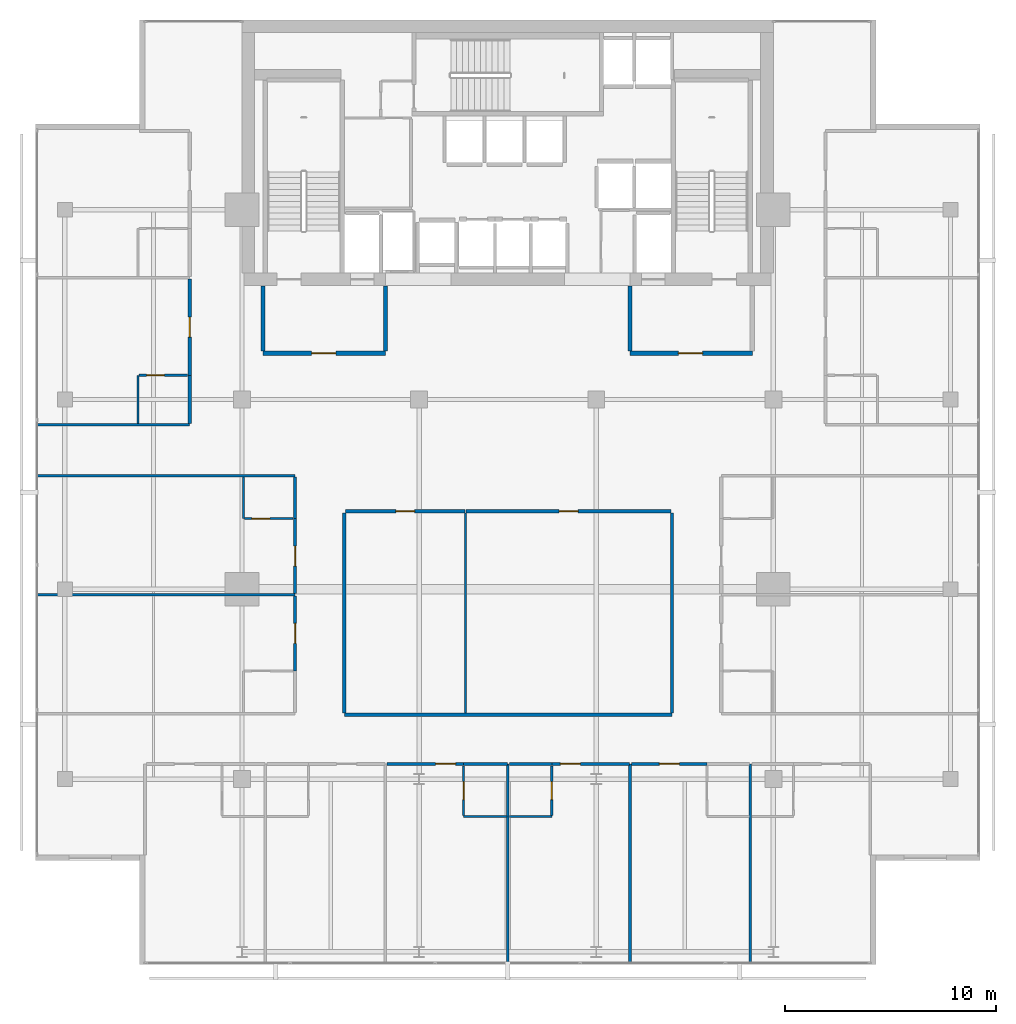
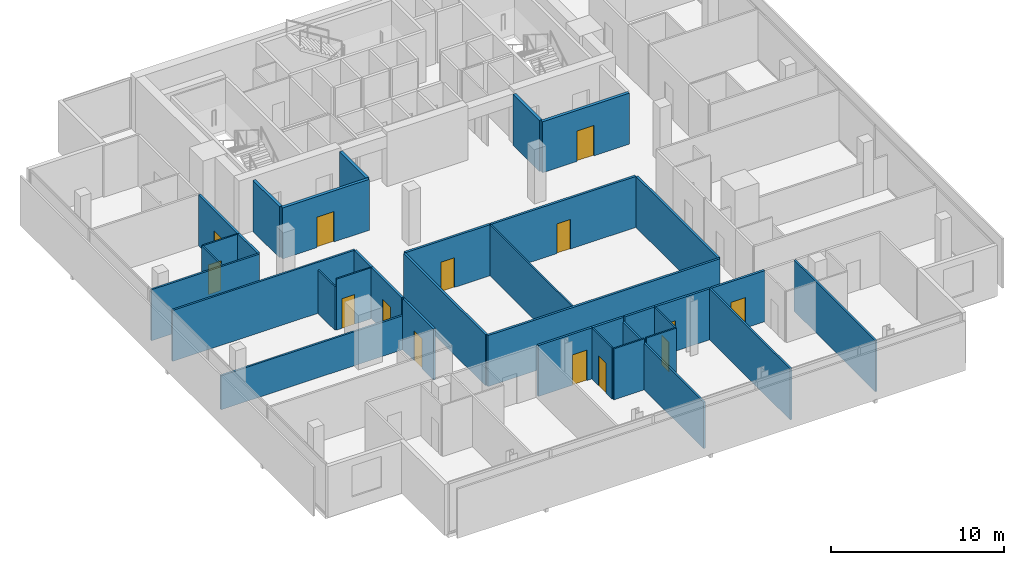
# One storey, part 20 of 25: 35 walls, 14 doors, 14 openings.
"""IFC4 building model written with IfcOpenShell, lengths in metres."""

from ifc_helpers import new_model, si_unit, direction, frame, frame_2d, origin, place, context, subcontext, project, spatial, rectangle, extrude, material, layer, layer_set, type_object, element, fill, save


model = new_model("IFC4")

# Units and contexts
model_context = context("Model", 3, precision=1e-05, world=origin(), true_north=direction((0.0, 1.0)))
body_context = subcontext(model_context, "Body", "Model", "MODEL_VIEW")
ifc_project = project(units=[si_unit("LENGTHUNIT", "METRE"), si_unit("AREAUNIT", "SQUARE_METRE"), si_unit("VOLUMEUNIT", "CUBIC_METRE"), si_unit("PLANEANGLEUNIT", "RADIAN"), si_unit("MASSUNIT", "GRAM", prefix="KILO")], contexts=[model_context])

# Site, building, storey
site_placement = place(None, origin())
site = spatial("IfcSite", under=ifc_project, at=site_placement, CompositionType="ELEMENT")
building_placement = place(site_placement, origin())
building = spatial("IfcBuilding", under=site, at=building_placement, Name="Maruvema Waterfront Hotel and Observation Tower", CompositionType="ELEMENT")
storey_placement = place(building_placement, frame((0.0, 0.0, 239.39990234375)))
storey = spatial("IfcBuildingStorey", under=building, at=storey_placement, Name="L58", CompositionType="ELEMENT", Elevation=239.39990234375)

# Walls
ifc_material_1 = material(Name="Twin-stud acoustic gypsum drywall", Category="gypsum")
ifc_layer_1 = layer(ifc_material_1, 0.14990234375, Name="Acoustic Corridor and Suite Demising Wall 150 mm")
ifc_layer_set_1 = layer_set([ifc_layer_1], Name="Twin-stud acoustic gypsum drywall")
wall_type_1 = type_object("IfcWallType", Name="Acoustic Corridor and Suite Demising Wall 150 mm", PredefinedType="PARTITIONING", material=ifc_layer_set_1)
wall_1_placement = place(storey_placement, frame((30.050048828125, 21.050048828125, 0.0), z_axis=(0.0, 0.0, 1.0), x_axis=(1.0, 0.0, 0.0)))
element("IfcWall", 1, at=wall_1_placement, inside=storey, type_object=wall_type_1, Name="L58 L58-Z3M Back Wall 017", PredefinedType="PARTITIONING", context=body_context, shape_type="SweptSolid", body=[
    extrude(rectangle(XDim=15.550048828125, YDim=0.14990234375, at=frame_2d((7.77490234375, 0.0))), origin(), (0.0, 0.0, 1.0), 3.610107421875),
])
for number, where, z_axis, x_axis, name in (
    (2, (30.050048828125, 21.1298828125, 0.0), (0.0, 0.0, 1.0), (0.0, 1.0, 0.0), "L58 L58-Z3M West Wall 018"),
    (3, (45.60009765625, 21.1298828125, 0.0), (0.0, 0.0, 1.0), (0.0, 1.0, 0.0), "L58 L58-Z3M East Wall 019"),
):
    element("IfcWall", number, at=place(storey_placement, frame(where, z_axis=z_axis, x_axis=x_axis)), inside=storey, type_object=wall_type_1, Name=name, PredefinedType="PARTITIONING", context=body_context, shape_type="SweptSolid", body=[
        extrude(rectangle(XDim=9.490234375, YDim=0.14990234375, at=frame_2d((4.7451171875, 0.0))), origin(), (0.0, 0.0, 1.0), 3.610107421875),
    ])

# Wall, opening, door
wall_2_placement = place(storey_placement, frame((30.110107421875, 30.699951171875, 0.0), z_axis=(0.0, 0.0, 1.0), x_axis=(1.0, 0.0, 0.0)))
wall_2 = element("IfcWall", 4, at=wall_2_placement, inside=storey, type_object=wall_type_1, Name="L58 L58-Z3M Front 1 020", PredefinedType="PARTITIONING", context=body_context, shape_type="SweptSolid", body=[
    extrude(rectangle(XDim=5.663330078125, YDim=0.14990234375, at=frame_2d((2.83154296875, 0.0))), origin(), (0.0, 0.0, 1.0), 3.610107421875),
])
opening_1_placement = place(wall_2_placement, frame((2.381591796875, 0.0, 0.0)))
opening_1 = element("IfcOpeningElement", 5, at=opening_1_placement, cuts=wall_2, Name="Opening DR-090", PredefinedType="OPENING", context=body_context, shape_type="SweptSolid", body=[
    extrude(rectangle(XDim=0.89990234375, YDim=2.10009765625, at=frame_2d((0.449951171875, 1.050048828125))), frame((0.0, 0.0849609375, 0.0), z_axis=(0.0, -1.0, 0.0), x_axis=(1.0, 0.0, 0.0)), (0.0, 0.0, 1.0), 0.169921875),
])
ifc_material_2 = material(Name="Solid-core lacquered timber leaf", Category="wood")
door_type_1 = type_object("IfcDoorType", Name="Accessible Toilet and Room Door 900x2100 mm", OperationType="NOTDEFINED", PredefinedType="DOOR", material=ifc_material_2)
door_1_placement = place(opening_1_placement, origin())
door_1 = element("IfcDoor", 6, at=door_1_placement, inside=storey, type_object=door_type_1, Name="L58 Butler Kitchenette Door", OperationType="SINGLE_SWING_RIGHT", OverallHeight=2.10009765625, OverallWidth=0.89990234375, PredefinedType="DOOR", context=body_context, shape_type="SweptSolid", body=[
    extrude(rectangle(XDim=0.89990234375, YDim=2.10009765625, at=frame_2d((0.449951171875, 1.050048828125))), frame((0.0, 0.02490234375, 0.0), z_axis=(0.0, -1.0, 0.0), x_axis=(1.0, 0.0, 0.0)), (0.0, 0.0, 1.0), 0.050048828125),
])
fill(opening_1, door_1)

wall_3_placement = place(storey_placement, frame((35.83349609375, 30.699951171875, 0.0), z_axis=(0.0, 0.0, 1.0), x_axis=(1.0, 0.0, 0.0)))
wall_3 = element("IfcWall", 7, at=wall_3_placement, inside=storey, type_object=wall_type_1, Name="L58 L58-Z3M Front 2 022", PredefinedType="PARTITIONING", context=body_context, shape_type="SweptSolid", body=[
    extrude(rectangle(XDim=9.70654296875, YDim=0.14990234375, at=frame_2d((4.853271484375, 0.0))), origin(), (0.0, 0.0, 1.0), 3.610107421875),
])
opening_2_placement = place(wall_3_placement, frame((4.4033203125, 0.0, 0.0)))
opening_2 = element("IfcOpeningElement", 8, at=opening_2_placement, cuts=wall_3, Name="Opening DR-090", PredefinedType="OPENING", context=body_context, shape_type="SweptSolid", body=[
    extrude(rectangle(XDim=0.89990234375, YDim=2.10009765625, at=frame_2d((0.449951171875, 1.050048828125))), frame((0.0, 0.0849609375, 0.0), z_axis=(0.0, -1.0, 0.0), x_axis=(1.0, 0.0, 0.0)), (0.0, 0.0, 1.0), 0.169921875),
])
door_2_placement = place(opening_2_placement, origin())
door_2 = element("IfcDoor", 9, at=door_2_placement, inside=storey, type_object=door_type_1, Name="L58 Business Office 1 Door", OperationType="SINGLE_SWING_LEFT", OverallHeight=2.10009765625, OverallWidth=0.89990234375, PredefinedType="DOOR", context=body_context, shape_type="SweptSolid", body=[
    extrude(rectangle(XDim=0.89990234375, YDim=2.10009765625, at=frame_2d((0.449951171875, 1.050048828125))), frame((0.0, 0.02490234375, 0.0), z_axis=(0.0, -1.0, 0.0), x_axis=(1.0, 0.0, 0.0)), (0.0, 0.0, 1.0), 0.050048828125),
])
fill(opening_2, door_2)

# Wall
wall_4_placement = place(storey_placement, frame((35.7099609375, 18.719970703125, 0.0), z_axis=(0.0, 0.0, 1.0), x_axis=(1.0, 0.0, 0.0)))
element("IfcWall", 10, at=wall_4_placement, inside=storey, type_object=wall_type_1, Name="L58 Bath L58-S3 Back Wall 035", PredefinedType="PARTITIONING", context=body_context, shape_type="SweptSolid", body=[
    extrude(rectangle(XDim=2.070068359375, YDim=0.14990234375, at=frame_2d((1.03515625, 0.0))), origin(), (0.0, 0.0, 1.0), 3.610107421875),
])

# Wall, opening, door
wall_5_placement = place(storey_placement, frame((32.080078125, 18.719970703125, 0.0), z_axis=(0.0, 0.0, 1.0), x_axis=(1.0, 0.0, 0.0)))
wall_5 = element("IfcWall", 11, at=wall_5_placement, inside=storey, type_object=wall_type_1, Name="L58 Unit L58-S3 Corridor Wall 038", PredefinedType="PARTITIONING", context=body_context, shape_type="SweptSolid", body=[
    extrude(rectangle(XDim=3.6298828125, YDim=0.14990234375, at=frame_2d((1.81494140625, 0.0))), origin(), (0.0, 0.0, 1.0), 3.610107421875),
])
opening_3_placement = place(wall_5_placement, frame((2.300048828125, 0.0, 0.0)))
opening_3 = element("IfcOpeningElement", 12, at=opening_3_placement, cuts=wall_5, Name="Opening DR-095", PredefinedType="OPENING", context=body_context, shape_type="SweptSolid", body=[
    extrude(rectangle(XDim=0.949951171875, YDim=2.14990234375, at=frame_2d((0.47509765625, 1.074951171875))), frame((0.0, 0.0849609375, 0.0), z_axis=(0.0, -1.0, 0.0), x_axis=(1.0, 0.0, 0.0)), (0.0, 0.0, 1.0), 0.169921875),
])
ifc_material_3 = material(Name="Acoustic solid-core hardwood timber leaf", Category="wood")
door_type_2 = type_object("IfcDoorType", Name="Guestroom Entrance Fire Door 950x2150 mm", OperationType="NOTDEFINED", PredefinedType="DOOR", material=ifc_material_3)
door_3_placement = place(opening_3_placement, frame((0.949951171875, 0.0, 0.0), z_axis=(0.0, 0.0, 1.0), x_axis=(-1.0, 0.0, 0.0)))
door_3 = element("IfcDoor", 13, at=door_3_placement, inside=storey, type_object=door_type_2, Name="L58 Unit L58-S3 Entrance Door", OperationType="SINGLE_SWING_LEFT", OverallHeight=2.14990234375, OverallWidth=0.949951171875, PredefinedType="DOOR", context=body_context, shape_type="SweptSolid", body=[
    extrude(rectangle(XDim=0.949951171875, YDim=2.14990234375, at=frame_2d((0.47509765625, 1.074951171875))), frame((0.0, 0.02490234375, 0.0), z_axis=(0.0, -1.0, 0.0), x_axis=(1.0, 0.0, 0.0)), (0.0, 0.0, 1.0), 0.050048828125),
])
fill(opening_3, door_3)

# Wall
wall_6_placement = place(storey_placement, frame((37.8798828125, 18.719970703125, 0.0), z_axis=(0.0, 0.0, 1.0), x_axis=(1.0, 0.0, 0.0)))
element("IfcWall", 14, at=wall_6_placement, inside=storey, type_object=wall_type_1, Name="L58 Bath L58-S4 Back Wall 040", PredefinedType="PARTITIONING", context=body_context, shape_type="SweptSolid", body=[
    extrude(rectangle(XDim=2.010009765625, YDim=0.14990234375, at=frame_2d((1.0048828125, 0.0))), origin(), (0.0, 0.0, 1.0), 3.610107421875),
])

# Wall, opening, door
wall_7_placement = place(storey_placement, frame((39.889892578125, 18.719970703125, 0.0), z_axis=(0.0, 0.0, 1.0), x_axis=(1.0, 0.0, 0.0)))
wall_7 = element("IfcWall", 15, at=wall_7_placement, inside=storey, type_object=wall_type_1, Name="L58 Unit L58-S4 Corridor Wall 043", PredefinedType="PARTITIONING", context=body_context, shape_type="SweptSolid", body=[
    extrude(rectangle(XDim=3.690185546875, YDim=0.14990234375, at=frame_2d((1.84521484375, 0.0))), origin(), (0.0, 0.0, 1.0), 3.610107421875),
])
opening_4_placement = place(wall_7_placement, frame((0.409912109375, 0.0, 0.0)))
opening_4 = element("IfcOpeningElement", 16, at=opening_4_placement, cuts=wall_7, Name="Opening DR-095", PredefinedType="OPENING", context=body_context, shape_type="SweptSolid", body=[
    extrude(rectangle(XDim=0.949951171875, YDim=2.14990234375, at=frame_2d((0.47509765625, 1.074951171875))), frame((0.0, 0.0849609375, 0.0), z_axis=(0.0, -1.0, 0.0), x_axis=(1.0, 0.0, 0.0)), (0.0, 0.0, 1.0), 0.169921875),
])
door_4_placement = place(opening_4_placement, frame((0.949951171875, 0.0, 0.0), z_axis=(0.0, 0.0, 1.0), x_axis=(-1.0, 0.0, 0.0)))
door_4 = element("IfcDoor", 17, at=door_4_placement, inside=storey, type_object=door_type_2, Name="L58 Unit L58-S4 Entrance Door", OperationType="SINGLE_SWING_LEFT", OverallHeight=2.14990234375, OverallWidth=0.949951171875, PredefinedType="DOOR", context=body_context, shape_type="SweptSolid", body=[
    extrude(rectangle(XDim=0.949951171875, YDim=2.14990234375, at=frame_2d((0.47509765625, 1.074951171875))), frame((0.0, 0.02490234375, 0.0), z_axis=(0.0, -1.0, 0.0), x_axis=(1.0, 0.0, 0.0)), (0.0, 0.0, 1.0), 0.050048828125),
])
fill(opening_4, door_4)

wall_8_placement = place(storey_placement, frame((43.679931640625, 18.719970703125, 0.0), z_axis=(0.0, 0.0, 1.0), x_axis=(1.0, 0.0, 0.0)))
wall_8 = element("IfcWall", 18, at=wall_8_placement, inside=storey, type_object=wall_type_1, Name="L58 Unit L58-S5 Corridor Wall 048", PredefinedType="PARTITIONING", context=body_context, shape_type="SweptSolid", body=[
    extrude(rectangle(XDim=3.570068359375, YDim=0.14990234375, at=frame_2d((1.78515625, 0.0))), origin(), (0.0, 0.0, 1.0), 3.610107421875),
])
opening_5_placement = place(wall_8_placement, frame((1.31005859375, 0.0, 0.0)))
opening_5 = element("IfcOpeningElement", 19, at=opening_5_placement, cuts=wall_8, Name="Opening DR-095", PredefinedType="OPENING", context=body_context, shape_type="SweptSolid", body=[
    extrude(rectangle(XDim=0.949951171875, YDim=2.14990234375, at=frame_2d((0.47509765625, 1.074951171875))), frame((0.0, 0.0849609375, 0.0), z_axis=(0.0, -1.0, 0.0), x_axis=(1.0, 0.0, 0.0)), (0.0, 0.0, 1.0), 0.169921875),
])
door_5_placement = place(opening_5_placement, frame((0.949951171875, 0.0, 0.0), z_axis=(0.0, 0.0, 1.0), x_axis=(-1.0, 0.0, 0.0)))
door_5 = element("IfcDoor", 20, at=door_5_placement, inside=storey, type_object=door_type_2, Name="L58 Unit L58-S5 Entrance Door", OperationType="SINGLE_SWING_LEFT", OverallHeight=2.14990234375, OverallWidth=0.949951171875, PredefinedType="DOOR", context=body_context, shape_type="SweptSolid", body=[
    extrude(rectangle(XDim=0.949951171875, YDim=2.14990234375, at=frame_2d((0.47509765625, 1.074951171875))), frame((0.0, 0.02490234375, 0.0), z_axis=(0.0, -1.0, 0.0), x_axis=(1.0, 0.0, 0.0)), (0.0, 0.0, 1.0), 0.050048828125),
])
fill(opening_5, door_5)

wall_9_placement = place(storey_placement, frame((27.719970703125, 23.1298828125, 0.0), z_axis=(0.0, 0.0, 1.0), x_axis=(0.0, 1.0, 0.0)))
wall_9 = element("IfcWall", 21, at=wall_9_placement, inside=storey, type_object=wall_type_1, Name="L58 Room L58-W1 Corridor Wall 059", PredefinedType="PARTITIONING", context=body_context, shape_type="SweptSolid", body=[
    extrude(rectangle(XDim=3.550048828125, YDim=0.14990234375, at=frame_2d((1.77490234375, 0.0))), origin(), (0.0, 0.0, 1.0), 3.610107421875),
])
opening_6_placement = place(wall_9_placement, frame((1.300048828125, 0.0, 0.0)))
opening_6 = element("IfcOpeningElement", 22, at=opening_6_placement, cuts=wall_9, Name="Opening DR-095", PredefinedType="OPENING", context=body_context, shape_type="SweptSolid", body=[
    extrude(rectangle(XDim=0.949951171875, YDim=2.14990234375, at=frame_2d((0.47509765625, 1.074951171875))), frame((0.0, 0.0849609375, 0.0), z_axis=(0.0, -1.0, 0.0), x_axis=(1.0, 0.0, 0.0)), (0.0, 0.0, 1.0), 0.169921875),
])
door_6_placement = place(opening_6_placement, origin())
door_6 = element("IfcDoor", 23, at=door_6_placement, inside=storey, type_object=door_type_2, Name="L58 Room L58-W1 Entrance Door", OperationType="SINGLE_SWING_LEFT", OverallHeight=2.14990234375, OverallWidth=0.949951171875, PredefinedType="DOOR", context=body_context, shape_type="SweptSolid", body=[
    extrude(rectangle(XDim=0.949951171875, YDim=2.14990234375, at=frame_2d((0.47509765625, 1.074951171875))), frame((0.0, 0.02490234375, 0.0), z_axis=(0.0, -1.0, 0.0), x_axis=(1.0, 0.0, 0.0)), (0.0, 0.0, 1.0), 0.050048828125),
])
fill(opening_6, door_6)

wall_10_placement = place(storey_placement, frame((27.719970703125, 26.800048828125, 0.0), z_axis=(0.0, 0.0, 1.0), x_axis=(0.0, 1.0, 0.0)))
wall_10 = element("IfcWall", 24, at=wall_10_placement, inside=storey, type_object=wall_type_1, Name="L58 Room L58-W2 Corridor Wall 068", PredefinedType="PARTITIONING", context=body_context, shape_type="SweptSolid", body=[
    extrude(rectangle(XDim=3.550048828125, YDim=0.14990234375, at=frame_2d((1.77490234375, 0.0))), origin(), (0.0, 0.0, 1.0), 3.610107421875),
])
opening_7_placement = place(wall_10_placement, frame((1.300048828125, 0.0, 0.0)))
opening_7 = element("IfcOpeningElement", 25, at=opening_7_placement, cuts=wall_10, Name="Opening DR-095", PredefinedType="OPENING", context=body_context, shape_type="SweptSolid", body=[
    extrude(rectangle(XDim=0.949951171875, YDim=2.14990234375, at=frame_2d((0.47509765625, 1.074951171875))), frame((0.0, 0.0849609375, 0.0), z_axis=(0.0, -1.0, 0.0), x_axis=(1.0, 0.0, 0.0)), (0.0, 0.0, 1.0), 0.169921875),
])
door_7_placement = place(opening_7_placement, origin())
door_7 = element("IfcDoor", 26, at=door_7_placement, inside=storey, type_object=door_type_2, Name="L58 Room L58-W2 Entrance Door", OperationType="SINGLE_SWING_LEFT", OverallHeight=2.14990234375, OverallWidth=0.949951171875, PredefinedType="DOOR", context=body_context, shape_type="SweptSolid", body=[
    extrude(rectangle(XDim=0.949951171875, YDim=2.14990234375, at=frame_2d((0.47509765625, 1.074951171875))), frame((0.0, 0.02490234375, 0.0), z_axis=(0.0, -1.0, 0.0), x_axis=(1.0, 0.0, 0.0)), (0.0, 0.0, 1.0), 0.050048828125),
])
fill(opening_7, door_7)

# Walls
wall_11_placement = place(storey_placement, frame((27.719970703125, 30.35009765625, 0.0), z_axis=(0.0, 0.0, 1.0), x_axis=(0.0, 1.0, 0.0)))
element("IfcWall", 27, at=wall_11_placement, inside=storey, type_object=wall_type_1, Name="L58 Bath L58-W2 Wall 069", PredefinedType="PARTITIONING", context=body_context, shape_type="SweptSolid", body=[
    extrude(rectangle(XDim=1.969970703125, YDim=0.14990234375, at=frame_2d((0.98486328125, 0.0))), origin(), (0.0, 0.0, 1.0), 3.610107421875),
])
wall_12_placement = place(storey_placement, frame((22.719970703125, 34.860107421875, 0.0), z_axis=(0.0, 0.0, 1.0), x_axis=(0.0, 1.0, 0.0)))
element("IfcWall", 28, at=wall_12_placement, inside=storey, type_object=wall_type_1, Name="L58 Bath L58-NW1 Wall 080", PredefinedType="PARTITIONING", context=body_context, shape_type="SweptSolid", body=[
    extrude(rectangle(XDim=2.289794921875, YDim=0.14990234375, at=frame_2d((1.14501953125, 0.0))), origin(), (0.0, 0.0, 1.0), 3.610107421875),
])

# Wall, opening, door
wall_13_placement = place(storey_placement, frame((22.719970703125, 37.14990234375, 0.0), z_axis=(0.0, 0.0, 1.0), x_axis=(0.0, 1.0, 0.0)))
wall_13 = element("IfcWall", 29, at=wall_13_placement, inside=storey, type_object=wall_type_1, Name="L58 Room L58-NW1 Corridor Wall 081", PredefinedType="PARTITIONING", context=body_context, shape_type="SweptSolid", body=[
    extrude(rectangle(XDim=4.558837890625, YDim=0.14990234375, at=frame_2d((2.279296875, 0.0))), origin(), (0.0, 0.0, 1.0), 3.610107421875),
])
opening_8_placement = place(wall_13_placement, frame((1.804443359375, 0.0, 0.0)))
opening_8 = element("IfcOpeningElement", 30, at=opening_8_placement, cuts=wall_13, Name="Opening DR-095", PredefinedType="OPENING", context=body_context, shape_type="SweptSolid", body=[
    extrude(rectangle(XDim=0.949951171875, YDim=2.14990234375, at=frame_2d((0.47509765625, 1.074951171875))), frame((0.0, 0.0849609375, 0.0), z_axis=(0.0, -1.0, 0.0), x_axis=(1.0, 0.0, 0.0)), (0.0, 0.0, 1.0), 0.169921875),
])
door_8_placement = place(opening_8_placement, origin())
door_8 = element("IfcDoor", 31, at=door_8_placement, inside=storey, type_object=door_type_2, Name="L58 Room L58-NW1 Entrance Door", OperationType="SINGLE_SWING_LEFT", OverallHeight=2.14990234375, OverallWidth=0.949951171875, PredefinedType="DOOR", context=body_context, shape_type="SweptSolid", body=[
    extrude(rectangle(XDim=0.949951171875, YDim=2.14990234375, at=frame_2d((0.47509765625, 1.074951171875))), frame((0.0, 0.02490234375, 0.0), z_axis=(0.0, -1.0, 0.0), x_axis=(1.0, 0.0, 0.0)), (0.0, 0.0, 1.0), 0.050048828125),
])
fill(opening_8, door_8)

# Walls
ifc_material_4 = material(Name="Moisture-resistant cement-board drywall", Category="gypsum")
ifc_layer_2 = layer(ifc_material_4, 0.10009765625, Name="En-Suite Moisture-Resistant Partition 100 mm")
ifc_layer_set_2 = layer_set([ifc_layer_2], Name="Moisture-resistant cement-board drywall")
wall_type_2 = type_object("IfcWallType", Name="En-Suite Moisture-Resistant Partition 100 mm", PredefinedType="PARTITIONING", material=ifc_layer_set_2)
wall_14_placement = place(storey_placement, frame((35.803466796875, 21.1298828125, 0.0), z_axis=(0.0, 0.0, 1.0), x_axis=(0.0, 1.0, 0.0)))
element("IfcWall", 32, at=wall_14_placement, inside=storey, type_object=wall_type_2, Name="L58 L58-Z3M Split 1 021", PredefinedType="PARTITIONING", context=body_context, shape_type="SweptSolid", body=[
    extrude(rectangle(XDim=9.490234375, YDim=0.10009765625, at=frame_2d((4.7451171875, 0.0))), origin(), (0.0, 0.0, 1.0), 3.610107421875),
])
wall_15_placement = place(storey_placement, frame((35.7099609375, 16.219970703125, 0.0), z_axis=(0.0, 0.0, 1.0), x_axis=(1.0, 0.0, 0.0)))
element("IfcWall", 33, at=wall_15_placement, inside=storey, type_object=wall_type_2, Name="L58 En-Suite L58-S3 South 036", PredefinedType="PARTITIONING", context=body_context, shape_type="SweptSolid", body=[
    extrude(rectangle(XDim=2.050048828125, YDim=0.10009765625, at=frame_2d((1.02490234375, 0.0))), origin(), (0.0, 0.0, 1.0), 3.610107421875),
])

# Wall, opening, door
wall_16_placement = place(storey_placement, frame((35.7099609375, 16.280029296875, 0.0), z_axis=(0.0, 0.0, 1.0), x_axis=(0.0, 1.0, 0.0)))
wall_16 = element("IfcWall", 34, at=wall_16_placement, inside=storey, type_object=wall_type_2, Name="L58 En-Suite L58-S3 West 037", PredefinedType="PARTITIONING", context=body_context, shape_type="SweptSolid", body=[
    extrude(rectangle(XDim=2.340087890625, YDim=0.10009765625, at=frame_2d((1.169921875, 0.0))), origin(), (0.0, 0.0, 1.0), 3.610107421875),
])
opening_9_placement = place(wall_16_placement, frame((0.7451171875, 0.0, 0.0)))
opening_9 = element("IfcOpeningElement", 35, at=opening_9_placement, cuts=wall_16, Name="Opening DR-085", PredefinedType="OPENING", context=body_context, shape_type="SweptSolid", body=[
    extrude(rectangle(XDim=0.85009765625, YDim=2.10009765625, at=frame_2d((0.425048828125, 1.050048828125))), frame((0.0, 0.06005859375, 0.0), z_axis=(0.0, -1.0, 0.0), x_axis=(1.0, 0.0, 0.0)), (0.0, 0.0, 1.0), 0.1201171875),
])
ifc_material_5 = material(Name="Moisture-resistant solid timber leaf", Category="wood")
door_type_3 = type_object("IfcDoorType", Name="En-Suite Bathroom Door 850x2100 mm", OperationType="NOTDEFINED", PredefinedType="DOOR", material=ifc_material_5)
door_9_placement = place(opening_9_placement, origin())
door_9 = element("IfcDoor", 36, at=door_9_placement, inside=storey, type_object=door_type_3, Name="L58 En-Suite L58-S3 Door", OperationType="SINGLE_SWING_RIGHT", OverallHeight=2.10009765625, OverallWidth=0.85009765625, PredefinedType="DOOR", context=body_context, shape_type="SweptSolid", body=[
    extrude(rectangle(XDim=0.85009765625, YDim=2.10009765625, at=frame_2d((0.425048828125, 1.050048828125))), frame((0.0, 0.02490234375, 0.0), z_axis=(0.0, -1.0, 0.0), x_axis=(1.0, 0.0, 0.0)), (0.0, 0.0, 1.0), 0.050048828125),
])
fill(opening_9, door_9)

# Wall
wall_17_placement = place(storey_placement, frame((37.8798828125, 16.219970703125, 0.0), z_axis=(0.0, 0.0, 1.0), x_axis=(1.0, 0.0, 0.0)))
element("IfcWall", 37, at=wall_17_placement, inside=storey, type_object=wall_type_2, Name="L58 En-Suite L58-S4 South 041", PredefinedType="PARTITIONING", context=body_context, shape_type="SweptSolid", body=[
    extrude(rectangle(XDim=2.010009765625, YDim=0.10009765625, at=frame_2d((1.0048828125, 0.0))), origin(), (0.0, 0.0, 1.0), 3.610107421875),
])

# Wall, opening, door
wall_18_placement = place(storey_placement, frame((39.889892578125, 16.280029296875, 0.0), z_axis=(0.0, 0.0, 1.0), x_axis=(0.0, 1.0, 0.0)))
wall_18 = element("IfcWall", 38, at=wall_18_placement, inside=storey, type_object=wall_type_2, Name="L58 En-Suite L58-S4 East 042", PredefinedType="PARTITIONING", context=body_context, shape_type="SweptSolid", body=[
    extrude(rectangle(XDim=2.340087890625, YDim=0.10009765625, at=frame_2d((1.169921875, 0.0))), origin(), (0.0, 0.0, 1.0), 3.610107421875),
])
opening_10_placement = place(wall_18_placement, frame((0.7451171875, 0.0, 0.0)))
opening_10 = element("IfcOpeningElement", 39, at=opening_10_placement, cuts=wall_18, Name="Opening DR-085", PredefinedType="OPENING", context=body_context, shape_type="SweptSolid", body=[
    extrude(rectangle(XDim=0.85009765625, YDim=2.10009765625, at=frame_2d((0.425048828125, 1.050048828125))), frame((0.0, 0.06005859375, 0.0), z_axis=(0.0, -1.0, 0.0), x_axis=(1.0, 0.0, 0.0)), (0.0, 0.0, 1.0), 0.1201171875),
])
door_10_placement = place(opening_10_placement, frame((0.85009765625, 0.0, 0.0), z_axis=(0.0, 0.0, 1.0), x_axis=(-1.0, 0.0, 0.0)))
door_10 = element("IfcDoor", 40, at=door_10_placement, inside=storey, type_object=door_type_3, Name="L58 En-Suite L58-S4 Door", OperationType="SINGLE_SWING_RIGHT", OverallHeight=2.10009765625, OverallWidth=0.85009765625, PredefinedType="DOOR", context=body_context, shape_type="SweptSolid", body=[
    extrude(rectangle(XDim=0.85009765625, YDim=2.10009765625, at=frame_2d((0.425048828125, 1.050048828125))), frame((0.0, 0.02490234375, 0.0), z_axis=(0.0, -1.0, 0.0), x_axis=(1.0, 0.0, 0.0)), (0.0, 0.0, 1.0), 0.050048828125),
])
fill(opening_10, door_10)

# Wall
wall_19_placement = place(storey_placement, frame((25.27001953125, 30.35009765625, 0.0), z_axis=(0.0, 0.0, 1.0), x_axis=(0.0, 1.0, 0.0)))
element("IfcWall", 41, at=wall_19_placement, inside=storey, type_object=wall_type_2, Name="L58 En-Suite L58-W2 W 070", PredefinedType="PARTITIONING", context=body_context, shape_type="SweptSolid", body=[
    extrude(rectangle(XDim=1.969970703125, YDim=0.10009765625, at=frame_2d((0.98486328125, 0.0))), origin(), (0.0, 0.0, 1.0), 3.0771484375),
])

# Wall, opening, door
wall_20_placement = place(storey_placement, frame((25.320068359375, 30.35009765625, 0.0), z_axis=(0.0, 0.0, 1.0), x_axis=(1.0, 0.0, 0.0)))
wall_20 = element("IfcWall", 42, at=wall_20_placement, inside=storey, type_object=wall_type_2, Name="L58 En-Suite L58-W2 S 071", PredefinedType="PARTITIONING", context=body_context, shape_type="SweptSolid", body=[
    extrude(rectangle(XDim=2.300048828125, YDim=0.10009765625, at=frame_2d((1.14990234375, 0.0))), origin(), (0.0, 0.0, 1.0), 3.610107421875),
])
opening_11_placement = place(wall_20_placement, frame((0.35009765625, 0.0, 0.0)))
opening_11 = element("IfcOpeningElement", 43, at=opening_11_placement, cuts=wall_20, Name="Opening DR-085", PredefinedType="OPENING", context=body_context, shape_type="SweptSolid", body=[
    extrude(rectangle(XDim=0.85009765625, YDim=2.10009765625, at=frame_2d((0.425048828125, 1.050048828125))), frame((0.0, 0.06005859375, 0.0), z_axis=(0.0, -1.0, 0.0), x_axis=(1.0, 0.0, 0.0)), (0.0, 0.0, 1.0), 0.1201171875),
])
door_11_placement = place(opening_11_placement, frame((0.85009765625, 0.0, 0.0), z_axis=(0.0, 0.0, 1.0), x_axis=(-1.0, 0.0, 0.0)))
door_11 = element("IfcDoor", 44, at=door_11_placement, inside=storey, type_object=door_type_3, Name="L58 En-Suite L58-W2 Door", OperationType="SINGLE_SWING_RIGHT", OverallHeight=2.10009765625, OverallWidth=0.85009765625, PredefinedType="DOOR", context=body_context, shape_type="SweptSolid", body=[
    extrude(rectangle(XDim=0.85009765625, YDim=2.10009765625, at=frame_2d((0.425048828125, 1.050048828125))), frame((0.0, 0.02490234375, 0.0), z_axis=(0.0, -1.0, 0.0), x_axis=(1.0, 0.0, 0.0)), (0.0, 0.0, 1.0), 0.050048828125),
])
fill(opening_11, door_11)

# Wall
wall_21_placement = place(storey_placement, frame((20.27001953125, 34.860107421875, 0.0), z_axis=(0.0, 0.0, 1.0), x_axis=(0.0, 1.0, 0.0)))
element("IfcWall", 45, at=wall_21_placement, inside=storey, type_object=wall_type_2, Name="L58 En-Suite L58-NW1 W 082", PredefinedType="PARTITIONING", context=body_context, shape_type="SweptSolid", body=[
    extrude(rectangle(XDim=2.289794921875, YDim=0.10009765625, at=frame_2d((1.14501953125, 0.0))), origin(), (0.0, 0.0, 1.0), 3.610107421875),
])

# Wall, opening, door
wall_22_placement = place(storey_placement, frame((20.320068359375, 37.14990234375, 0.0), z_axis=(0.0, 0.0, 1.0), x_axis=(1.0, 0.0, 0.0)))
wall_22 = element("IfcWall", 46, at=wall_22_placement, inside=storey, type_object=wall_type_2, Name="L58 En-Suite L58-NW1 N 083", PredefinedType="PARTITIONING", context=body_context, shape_type="SweptSolid", body=[
    extrude(rectangle(XDim=2.300048828125, YDim=0.10009765625, at=frame_2d((1.14990234375, 0.0))), origin(), (0.0, 0.0, 1.0), 3.610107421875),
])
opening_12_placement = place(wall_22_placement, frame((0.35009765625, 0.0, 0.0)))
opening_12 = element("IfcOpeningElement", 47, at=opening_12_placement, cuts=wall_22, Name="Opening DR-085", PredefinedType="OPENING", context=body_context, shape_type="SweptSolid", body=[
    extrude(rectangle(XDim=0.85009765625, YDim=2.10009765625, at=frame_2d((0.425048828125, 1.050048828125))), frame((0.0, 0.06005859375, 0.0), z_axis=(0.0, -1.0, 0.0), x_axis=(1.0, 0.0, 0.0)), (0.0, 0.0, 1.0), 0.1201171875),
])
door_12_placement = place(opening_12_placement, origin())
door_12 = element("IfcDoor", 48, at=door_12_placement, inside=storey, type_object=door_type_3, Name="L58 En-Suite L58-NW1 Door", OperationType="SINGLE_SWING_RIGHT", OverallHeight=2.10009765625, OverallWidth=0.85009765625, PredefinedType="DOOR", context=body_context, shape_type="SweptSolid", body=[
    extrude(rectangle(XDim=0.85009765625, YDim=2.10009765625, at=frame_2d((0.425048828125, 1.050048828125))), frame((0.0, 0.02490234375, 0.0), z_axis=(0.0, -1.0, 0.0), x_axis=(1.0, 0.0, 0.0)), (0.0, 0.0, 1.0), 0.050048828125),
])
fill(opening_12, door_12)

ifc_material_6 = material(Name="Autoclaved cellular concrete blockwork", Category="masonry")
ifc_layer_3 = layer(ifc_material_6, 0.199951171875, Name="Fire Compartment Masonry Wall 200 mm")
ifc_layer_set_3 = layer_set([ifc_layer_3], Name="Autoclaved cellular concrete blockwork")
wall_type_3 = type_object("IfcWallType", Name="Fire Compartment Masonry Wall 200 mm", PredefinedType="PARTITIONING", material=ifc_layer_set_3)
wall_23_placement = place(storey_placement, frame((26.199951171875, 38.199951171875, 0.0), z_axis=(0.0, 0.0, 1.0), x_axis=(1.0, 0.0, 0.0)))
wall_23 = element("IfcWall", 49, at=wall_23_placement, inside=storey, type_object=wall_type_3, Name="L58 FFL West South Wall 001", PredefinedType="PARTITIONING", context=body_context, shape_type="SweptSolid", body=[
    extrude(rectangle(XDim=5.800048828125, YDim=0.199951171875, at=frame_2d((2.89990234375, 0.0))), origin(), (0.0, 0.0, 1.0), 3.610107421875),
])
opening_13_placement = place(wall_23_placement, frame((2.300048828125, 0.0, 0.0)))
opening_13 = element("IfcOpeningElement", 50, at=opening_13_placement, cuts=wall_23, Name="Opening FD-115", PredefinedType="OPENING", context=body_context, shape_type="SweptSolid", body=[
    extrude(rectangle(XDim=1.14990234375, YDim=2.14990234375, at=frame_2d((0.574951171875, 1.074951171875))), frame((0.0, 0.10986328125, 0.0), z_axis=(0.0, -1.0, 0.0), x_axis=(1.0, 0.0, 0.0)), (0.0, 0.0, 1.0), 0.219970703125),
])
ifc_material_7 = material(Name="Fire-rated galvanised steel and vision glass", Category="steel")
door_type_4 = type_object("IfcDoorType", Name="Firefighting Lobby Fire Door 1150x2150 mm", OperationType="NOTDEFINED", PredefinedType="DOOR", material=ifc_material_7)
door_13_placement = place(opening_13_placement, frame((1.14990234375, 0.0, 0.0), z_axis=(0.0, 0.0, 1.0), x_axis=(-1.0, 0.0, 0.0)))
door_13 = element("IfcDoor", 51, at=door_13_placement, inside=storey, type_object=door_type_4, Name="L58 Firefighting Lobby West Door", OperationType="SINGLE_SWING_RIGHT", OverallHeight=2.14990234375, OverallWidth=1.14990234375, PredefinedType="DOOR", context=body_context, shape_type="SweptSolid", body=[
    extrude(rectangle(XDim=1.14990234375, YDim=2.14990234375, at=frame_2d((0.574951171875, 1.074951171875))), frame((0.0, 0.02490234375, 0.0), z_axis=(0.0, -1.0, 0.0), x_axis=(1.0, 0.0, 0.0)), (0.0, 0.0, 1.0), 0.050048828125),
])
fill(opening_13, door_13)

# Walls
for number, where, z_axis, x_axis, name in (
    (52, (26.199951171875, 38.31005859375, 0.0), (0.0, 0.0, 1.0), (0.0, 1.0, 0.0), "L58 FFL West West Wall 002"),
    (53, (32.0, 38.31005859375, 0.0), (0.0, 0.0, 1.0), (0.0, 1.0, 0.0), "L58 FFL West East Wall 003"),
):
    element("IfcWall", number, at=place(storey_placement, frame(where, z_axis=z_axis, x_axis=x_axis)), inside=storey, type_object=wall_type_3, Name=name, PredefinedType="PARTITIONING", context=body_context, shape_type="SweptSolid", body=[
        extrude(rectangle(XDim=3.06982421875, YDim=0.199951171875, at=frame_2d((1.534912109375, 0.0))), origin(), (0.0, 0.0, 1.0), 3.610107421875),
    ])

# Wall, opening, door
wall_24_placement = place(storey_placement, frame((43.60009765625, 38.199951171875, 0.0), z_axis=(0.0, 0.0, 1.0), x_axis=(1.0, 0.0, 0.0)))
wall_24 = element("IfcWall", 54, at=wall_24_placement, inside=storey, type_object=wall_type_3, Name="L58 FFL East South Wall 004", PredefinedType="PARTITIONING", context=body_context, shape_type="SweptSolid", body=[
    extrude(rectangle(XDim=5.7998046875, YDim=0.199951171875, at=frame_2d((2.89990234375, 0.0))), origin(), (0.0, 0.0, 1.0), 3.610107421875),
])
opening_14_placement = place(wall_24_placement, frame((2.300048828125, 0.0, 0.0)))
opening_14 = element("IfcOpeningElement", 55, at=opening_14_placement, cuts=wall_24, Name="Opening FD-115", PredefinedType="OPENING", context=body_context, shape_type="SweptSolid", body=[
    extrude(rectangle(XDim=1.14990234375, YDim=2.14990234375, at=frame_2d((0.574951171875, 1.074951171875))), frame((0.0, 0.10986328125, 0.0), z_axis=(0.0, -1.0, 0.0), x_axis=(1.0, 0.0, 0.0)), (0.0, 0.0, 1.0), 0.219970703125),
])
door_14_placement = place(opening_14_placement, frame((1.14990234375, 0.0, 0.0), z_axis=(0.0, 0.0, 1.0), x_axis=(-1.0, 0.0, 0.0)))
door_14 = element("IfcDoor", 56, at=door_14_placement, inside=storey, type_object=door_type_4, Name="L58 Firefighting Lobby East Door", OperationType="SINGLE_SWING_LEFT", OverallHeight=2.14990234375, OverallWidth=1.14990234375, PredefinedType="DOOR", context=body_context, shape_type="SweptSolid", body=[
    extrude(rectangle(XDim=1.14990234375, YDim=2.14990234375, at=frame_2d((0.574951171875, 1.074951171875))), frame((0.0, 0.02490234375, 0.0), z_axis=(0.0, -1.0, 0.0), x_axis=(1.0, 0.0, 0.0)), (0.0, 0.0, 1.0), 0.050048828125),
])
fill(opening_14, door_14)

# Walls
wall_25_placement = place(storey_placement, frame((43.60009765625, 38.31005859375, 0.0), z_axis=(0.0, 0.0, 1.0), x_axis=(0.0, 1.0, 0.0)))
element("IfcWall", 57, at=wall_25_placement, inside=storey, type_object=wall_type_3, Name="L58 FFL East West Wall 005", PredefinedType="PARTITIONING", context=body_context, shape_type="SweptSolid", body=[
    extrude(rectangle(XDim=3.06982421875, YDim=0.199951171875, at=frame_2d((1.534912109375, 0.0))), origin(), (0.0, 0.0, 1.0), 3.610107421875),
])
ifc_material_8 = material(Name="Acoustic gypsum plasterboard drywall", Category="gypsum")
ifc_layer_4 = layer(ifc_material_8, 0.125, Name="Guestroom Acoustic Demising Wall 125 mm")
ifc_layer_set_4 = layer_set([ifc_layer_4], Name="Acoustic gypsum plasterboard drywall")
wall_type_4 = type_object("IfcWallType", Name="Guestroom Acoustic Demising Wall 125 mm", PredefinedType="PARTITIONING", material=ifc_layer_set_4)
wall_26_placement = place(storey_placement, frame((37.800048828125, 9.300048828125, 0.0), z_axis=(0.0, 0.0, 1.0), x_axis=(0.0, 1.0, 0.0)))
element("IfcWall", 58, at=wall_26_placement, inside=storey, type_object=wall_type_4, Name="L58 Z3 S Demising 4 039", PredefinedType="PARTITIONING", context=body_context, shape_type="SweptSolid", body=[
    extrude(rectangle(XDim=9.419921875, YDim=0.125, at=frame_2d((4.7099609375, 0.0))), origin(), (0.0, 0.0, 1.0), 3.293212890625),
])
for number, where, z_axis, x_axis, name in (
    (59, (43.60009765625, 9.300048828125, 0.0), (0.0, 0.0, 1.0), (0.0, 1.0, 0.0), "L58 Z3 S Demising 5 044"),
    (60, (49.300048828125, 9.300048828125, 0.0), (0.0, 0.0, 1.0), (0.0, 1.0, 0.0), "L58 Z3 S Demising 6 049"),
):
    element("IfcWall", number, at=place(storey_placement, frame(where, z_axis=z_axis, x_axis=x_axis)), inside=storey, type_object=wall_type_4, Name=name, PredefinedType="PARTITIONING", context=body_context, shape_type="SweptSolid", body=[
        extrude(rectangle(XDim=9.419921875, YDim=0.125, at=frame_2d((4.7099609375, 0.0))), origin(), (0.0, 0.0, 1.0), 3.610107421875),
    ])
wall_27_placement = place(storey_placement, frame((15.5, 32.3798828125, 0.0), z_axis=(0.0, 0.0, 1.0), x_axis=(1.0, 0.0, 0.0)))
element("IfcWall", 61, at=wall_27_placement, inside=storey, type_object=wall_type_4, Name="L58 Z3 W Top End 056", PredefinedType="PARTITIONING", context=body_context, shape_type="SweptSolid", body=[
    extrude(rectangle(XDim=12.219970703125, YDim=0.125, at=frame_2d((6.10986328125, 0.0))), origin(), (0.0, 0.0, 1.0), 3.610107421875),
])
wall_28_placement = place(storey_placement, frame((15.5, 26.739990234375, 0.0), z_axis=(0.0, 0.0, 1.0), x_axis=(1.0, 0.0, 0.0)))
element("IfcWall", 62, at=wall_28_placement, inside=storey, type_object=wall_type_4, Name="L58 Z3 W Demising 2 066", PredefinedType="PARTITIONING", context=body_context, shape_type="SweptSolid", body=[
    extrude(rectangle(XDim=12.219970703125, YDim=0.125, at=frame_2d((6.10986328125, 0.0))), origin(), (0.0, 0.0, 1.0), 2.41015625),
])
wall_29_placement = place(storey_placement, frame((15.5, 34.800048828125, 0.0), z_axis=(0.0, 0.0, 1.0), x_axis=(1.0, 0.0, 0.0)))
element("IfcWall", 63, at=wall_29_placement, inside=storey, type_object=wall_type_4, Name="L58 Z3 NW Bot End 076", PredefinedType="PARTITIONING", context=body_context, shape_type="SweptSolid", body=[
    extrude(rectangle(XDim=7.219970703125, YDim=0.125, at=frame_2d((3.60986328125, 0.0))), origin(), (0.0, 0.0, 1.0), 3.610107421875),
])

save(model, "model.ifc")
